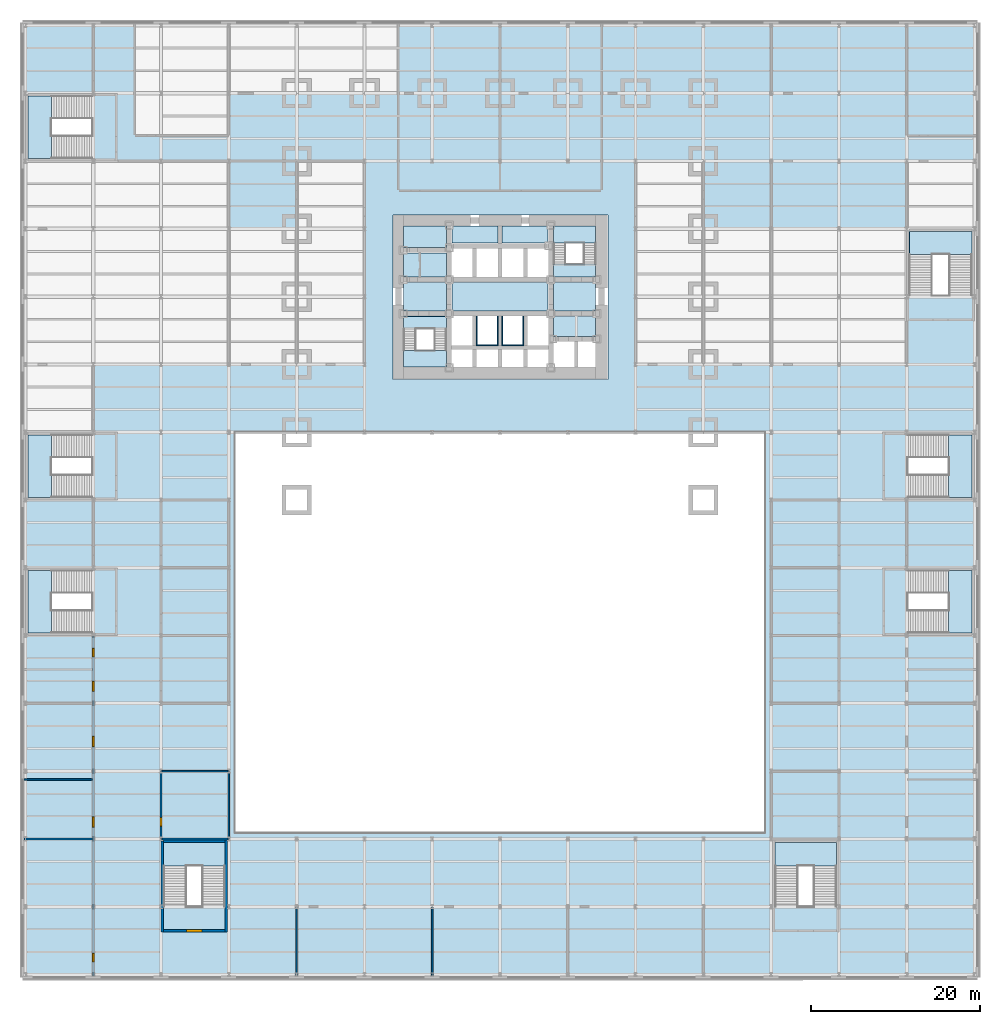
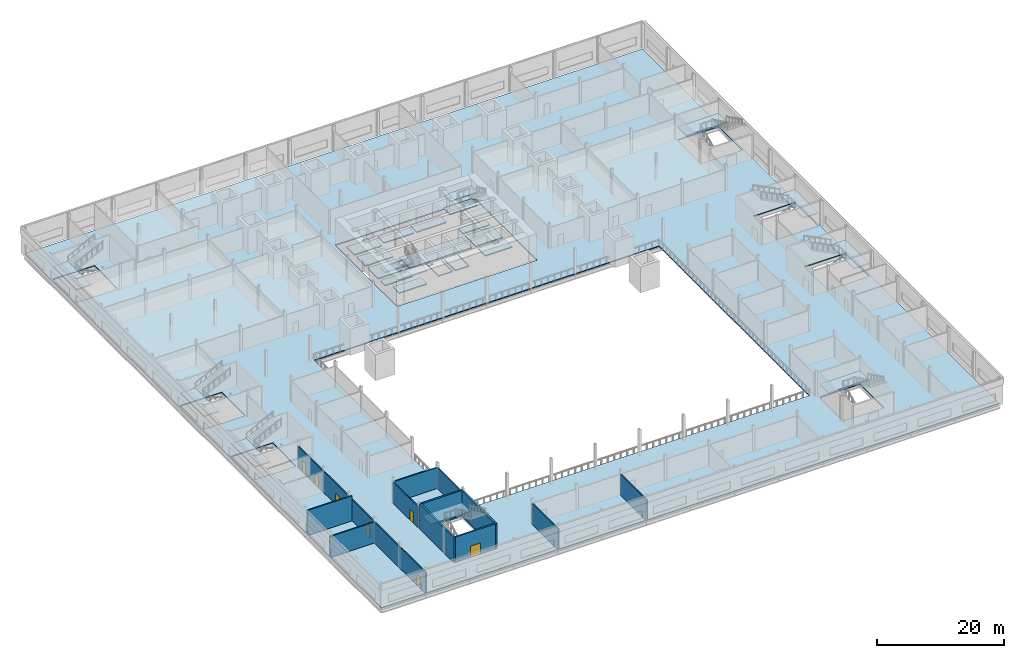
# One storey, part 7 of 18: 27 slabs, 13 walls, 7 doors, 7 openings, 10 elements without a shape of their own.
"""IFC4 building model written with IfcOpenShell, lengths in metres."""

from ifc_helpers import new_model, si_unit, direction, frame, frame_2d, origin, place, context, subcontext, project, spatial, polyline, rectangle, outline, extrude, material, layer, layer_set, type_object, element, fill, aggregate, save


model = new_model("IFC4")

# Units and contexts
model_context = context("Model", 3, precision=1e-05, world=origin(), true_north=direction((0.0, 1.0)))
body_context = subcontext(model_context, "Body", "Model", "MODEL_VIEW")
ifc_project = project(units=[si_unit("LENGTHUNIT", "METRE"), si_unit("AREAUNIT", "SQUARE_METRE"), si_unit("VOLUMEUNIT", "CUBIC_METRE"), si_unit("PLANEANGLEUNIT", "RADIAN"), si_unit("MASSUNIT", "GRAM", prefix="KILO")], contexts=[model_context])

# Site, building, storey
site_placement = place(None, origin())
site = spatial("IfcSite", under=ifc_project, at=site_placement, CompositionType="ELEMENT")
building_placement = place(site_placement, origin())
building = spatial("IfcBuilding", under=site, at=building_placement, Name="Daluyong Arena Tower", CompositionType="ELEMENT")
storey_placement = place(building_placement, frame((0.0, 0.0, 4.89990234375)))
storey = spatial("IfcBuildingStorey", under=building, at=storey_placement, Name="L01", CompositionType="ELEMENT", Elevation=4.89990234375)

# Slabs
ifc_material_1 = material(Name="Concrete fc' 35 MPa", Category="concrete")
ifc_layer_1 = layer(ifc_material_1, 0.199951171875)
ifc_layer_set_1 = layer_set([ifc_layer_1], Name="Concrete fc' 35 MPa")
slab_type_1 = type_object("IfcSlabType", Name="Podium floor slab 200", PredefinedType="FLOOR", material=ifc_layer_set_1)
slab_1_placement = place(storey_placement, frame((0.0, 0.0, -0.199951171875)))
element("IfcSlab", 1, at=slab_1_placement, inside=storey, type_object=slab_type_1, Name="podium floor L01 part 1", PredefinedType="FLOOR", context=body_context, shape_type="SweptSolid", body=[
    extrude(outline(polyline([(49.675048828125, 76.175048828125), (49.675048828125, 77.675048828125), (44.639892578125, 77.675048828125), (44.639892578125, 76.175048828125), (49.675048828125, 76.175048828125)])), origin(), (0.0, 0.0, 1.0), 0.199951171875),
])
slab_2_placement = place(storey_placement, frame((0.0, 0.0, -0.199951171875)))
element("IfcSlab", 2, at=slab_2_placement, inside=storey, type_object=slab_type_1, Name="podium floor L01 part 2", PredefinedType="FLOOR", context=body_context, shape_type="SweptSolid", body=[
    extrude(outline(polyline([(44.639892578125, 78.324951171875), (49.675048828125, 78.324951171875), (49.675048828125, 81.675048828125), (44.639892578125, 81.675048828125), (44.639892578125, 78.324951171875)])), origin(), (0.0, 0.0, 1.0), 0.199951171875),
])
slab_3_placement = place(storey_placement, frame((0.0, 0.0, -0.199951171875)))
element("IfcSlab", 3, at=slab_3_placement, inside=storey, type_object=slab_type_1, Name="podium floor L01 part 3", PredefinedType="FLOOR", context=body_context, shape_type="SweptSolid", body=[
    extrude(outline(polyline([(44.639892578125, 82.324951171875), (49.675048828125, 82.324951171875), (49.675048828125, 85.175048828125), (44.639892578125, 85.175048828125), (44.639892578125, 82.324951171875)])), origin(), (0.0, 0.0, 1.0), 0.199951171875),
])
slab_4_placement = place(storey_placement, frame((0.0, 0.0, -0.199951171875)))
element("IfcSlab", 4, at=slab_4_placement, inside=storey, type_object=slab_type_1, Name="podium floor L01 part 4", PredefinedType="FLOOR", context=body_context, shape_type="SweptSolid", body=[
    extrude(outline(polyline([(44.639892578125, 88.360107421875), (44.639892578125, 85.824951171875), (49.675048828125, 85.824951171875), (49.675048828125, 88.360107421875), (44.639892578125, 88.360107421875)])), origin(), (0.0, 0.0, 1.0), 0.199951171875),
])
slab_5_placement = place(storey_placement, frame((0.0, 0.0, -0.199951171875)))
element("IfcSlab", 5, at=slab_5_placement, inside=storey, type_object=slab_type_1, Name="podium floor L01 part 5", PredefinedType="FLOOR", context=body_context, shape_type="SweptSolid", body=[
    extrude(outline(polyline([(50.324951171875, 88.360107421875), (50.324951171875, 86.324951171875), (55.77490234375, 86.324951171875), (55.77490234375, 88.360107421875), (50.324951171875, 88.360107421875)])), origin(), (0.0, 0.0, 1.0), 0.199951171875),
])
slab_6_placement = place(storey_placement, frame((0.0, 0.0, -0.199951171875)))
element("IfcSlab", 6, at=slab_6_placement, inside=storey, type_object=slab_type_1, Name="podium floor L01 part 6", PredefinedType="FLOOR", context=body_context, shape_type="SweptSolid", body=[
    extrude(outline(polyline([(53.300048828125, 74.300048828125), (53.300048828125, 77.675048828125), (53.22509765625, 77.675048828125), (53.22509765625, 74.22509765625), (55.77490234375, 74.22509765625), (55.77490234375, 77.675048828125), (55.699951171875, 77.675048828125), (55.699951171875, 74.300048828125), (53.300048828125, 74.300048828125)])), origin(), (0.0, 0.0, 1.0), 0.199951171875),
])
slab_7_placement = place(storey_placement, frame((0.0, 0.0, -0.199951171875)))
element("IfcSlab", 7, at=slab_7_placement, inside=storey, type_object=slab_type_1, Name="podium floor L01 part 7", PredefinedType="FLOOR", context=body_context, shape_type="SweptSolid", body=[
    extrude(outline(polyline([(0.0, 112.0), (0.0, 0.0), (112.0, 0.0), (112.0, 112.0), (0.0, 112.0)]), holes=[polyline([(24.75, 64.0), (87.25, 64.0), (87.25, 16.75), (24.75, 16.75), (24.75, 64.0)]), polyline([(23.550048828125, 15.550048828125), (23.550048828125, 8.010009765625), (19.0, 8.010009765625), (19.0, 8.06005859375), (16.300048828125, 8.06005859375), (16.300048828125, 15.550048828125), (23.550048828125, 15.550048828125)]), polyline([(7.7900390625, 40.300048828125), (0.300048828125, 40.300048828125), (0.300048828125, 47.699951171875), (7.840087890625, 47.699951171875), (7.840087890625, 43.0), (7.7900390625, 43.0), (7.7900390625, 40.300048828125)]), polyline([(7.7900390625, 56.300048828125), (0.300048828125, 56.300048828125), (0.300048828125, 63.699951171875), (7.840087890625, 63.699951171875), (7.840087890625, 59.0), (7.7900390625, 59.0), (7.7900390625, 56.300048828125)]), polyline([(68.75, 89.639892578125), (68.75, 70.199951171875), (43.360107421875, 70.199951171875), (43.360107421875, 89.639892578125), (68.75, 89.639892578125)]), polyline([(7.7900390625, 99.0), (7.7900390625, 96.300048828125), (0.300048828125, 96.300048828125), (0.300048828125, 103.699951171875), (7.840087890625, 103.699951171875), (7.840087890625, 99.0), (7.7900390625, 99.0)]), polyline([(95.699951171875, 8.010009765625), (91.14990234375, 8.010009765625), (91.14990234375, 8.06005859375), (88.449951171875, 8.06005859375), (88.449951171875, 15.550048828125), (95.699951171875, 15.550048828125), (95.699951171875, 8.010009765625)]), polyline([(104.159912109375, 43.0), (104.159912109375, 47.699951171875), (111.699951171875, 47.699951171875), (111.699951171875, 40.300048828125), (104.2099609375, 40.300048828125), (104.2099609375, 43.0), (104.159912109375, 43.0)]), polyline([(104.2099609375, 59.0), (104.159912109375, 59.0), (104.159912109375, 63.699951171875), (111.699951171875, 63.699951171875), (111.699951171875, 56.300048828125), (104.2099609375, 56.300048828125), (104.2099609375, 59.0)]), polyline([(107.0, 80.159912109375), (107.0, 80.2099609375), (104.300048828125, 80.2099609375), (104.300048828125, 87.699951171875), (111.699951171875, 87.699951171875), (111.699951171875, 80.159912109375), (107.0, 80.159912109375)])]), origin(), (0.0, 0.0, 1.0), 0.199951171875),
])
slab_8_placement = place(storey_placement, frame((0.0, 0.0, -0.199951171875)))
element("IfcSlab", 8, at=slab_8_placement, inside=storey, type_object=slab_type_1, Name="podium floor L01 part 8", PredefinedType="FLOOR", context=body_context, shape_type="SweptSolid", body=[
    extrude(outline(polyline([(61.675048828125, 81.675048828125), (50.324951171875, 81.675048828125), (50.324951171875, 78.324951171875), (61.675048828125, 78.324951171875), (61.675048828125, 81.675048828125)])), origin(), (0.0, 0.0, 1.0), 0.199951171875),
])
slab_9_placement = place(storey_placement, frame((0.0, 0.0, -0.199951171875)))
element("IfcSlab", 9, at=slab_9_placement, inside=storey, type_object=slab_type_1, Name="podium floor L01 part 9", PredefinedType="FLOOR", context=body_context, shape_type="SweptSolid", body=[
    extrude(outline(polyline([(56.300048828125, 74.300048828125), (56.300048828125, 77.675048828125), (56.22509765625, 77.675048828125), (56.22509765625, 74.22509765625), (58.77490234375, 74.22509765625), (58.77490234375, 77.675048828125), (58.699951171875, 77.675048828125), (58.699951171875, 74.300048828125), (56.300048828125, 74.300048828125)])), origin(), (0.0, 0.0, 1.0), 0.199951171875),
])
slab_10_placement = place(storey_placement, frame((0.0, 0.0, -0.199951171875)))
element("IfcSlab", 10, at=slab_10_placement, inside=storey, type_object=slab_type_1, Name="podium floor L01 part 10", PredefinedType="FLOOR", context=body_context, shape_type="SweptSolid", body=[
    extrude(outline(polyline([(56.22509765625, 88.360107421875), (56.22509765625, 86.324951171875), (61.675048828125, 86.324951171875), (61.675048828125, 88.360107421875), (56.22509765625, 88.360107421875)])), origin(), (0.0, 0.0, 1.0), 0.199951171875),
])
slab_11_placement = place(storey_placement, frame((0.0, 0.0, -0.199951171875)))
element("IfcSlab", 11, at=slab_11_placement, inside=storey, type_object=slab_type_1, Name="podium floor L01 part 11", PredefinedType="FLOOR", context=body_context, shape_type="SweptSolid", body=[
    extrude(outline(polyline([(67.25, 75.324951171875), (67.25, 77.675048828125), (62.324951171875, 77.675048828125), (62.324951171875, 75.324951171875), (67.25, 75.324951171875)])), origin(), (0.0, 0.0, 1.0), 0.199951171875),
])
slab_12_placement = place(storey_placement, frame((0.0, 0.0, -0.199951171875)))
element("IfcSlab", 12, at=slab_12_placement, inside=storey, type_object=slab_type_1, Name="podium floor L01 part 12", PredefinedType="FLOOR", context=body_context, shape_type="SweptSolid", body=[
    extrude(outline(polyline([(67.25, 81.675048828125), (62.324951171875, 81.675048828125), (62.324951171875, 78.324951171875), (67.25, 78.324951171875), (67.25, 81.675048828125)])), origin(), (0.0, 0.0, 1.0), 0.199951171875),
])
slab_13_placement = place(storey_placement, frame((0.0, 0.0, -0.199951171875)))
element("IfcSlab", 13, at=slab_13_placement, inside=storey, type_object=slab_type_1, Name="podium floor L01 part 13", PredefinedType="FLOOR", context=body_context, shape_type="SweptSolid", body=[
    extrude(outline(polyline([(62.324951171875, 83.824951171875), (62.324951171875, 82.324951171875), (67.25, 82.324951171875), (67.25, 83.824951171875), (62.324951171875, 83.824951171875)])), origin(), (0.0, 0.0, 1.0), 0.199951171875),
])

# Stair, slabs
ifc_material_2 = material(Name="Concrete fc' 35 MPa", Category="concrete")
stair_type_1 = type_object("IfcStairType", Name="Core exit stair", PredefinedType="HALF_TURN_STAIR", material=ifc_material_2)
stair_1_placement = place(storey_placement, origin())
stair_1 = element("IfcStair", 14, at=stair_1_placement, inside=storey, type_object=stair_type_1, Name="exit stair A L01", PredefinedType="HALF_TURN_STAIR")
ifc_material_3 = material(Name="Concrete fc' 35 MPa", Category="concrete")
ifc_layer_2 = layer(ifc_material_3, 0.199951171875)
ifc_layer_set_2 = layer_set([ifc_layer_2], Name="Concrete fc' 35 MPa")
slab_type_2 = type_object("IfcSlabType", Name="Stair landing 200", PredefinedType="LANDING", material=ifc_layer_set_2)
slab_14_placement = place(storey_placement, frame((0.0, 0.0, 1.050048828125)))
slab_14 = element("IfcSlab", 15, at=slab_14_placement, type_object=slab_type_2, Name="STA landing 1", PredefinedType="LANDING", context=body_context, shape_type="SweptSolid", body=[
    extrude(outline(polyline([(44.639892578125, 71.699951171875), (49.699951171875, 71.699951171875), (49.699951171875, 73.655029296875), (44.639892578125, 73.655029296875), (44.639892578125, 71.699951171875)])), origin(), (0.0, 0.0, 1.0), 0.199951171875),
])
slab_15_placement = place(storey_placement, frame((0.0, 0.0, 2.300048828125)))
slab_15 = element("IfcSlab", 16, at=slab_15_placement, type_object=slab_type_2, Name="STA landing 2", PredefinedType="LANDING", context=body_context, shape_type="SweptSolid", body=[
    extrude(outline(polyline([(44.639892578125, 76.175048828125), (49.699951171875, 76.175048828125), (49.699951171875, 77.699951171875), (44.639892578125, 77.699951171875), (44.639892578125, 76.175048828125)])), origin(), (0.0, 0.0, 1.0), 0.199951171875),
])
slab_16_placement = place(storey_placement, frame((0.0, 0.0, 3.550048828125)))
slab_16 = element("IfcSlab", 17, at=slab_16_placement, type_object=slab_type_2, Name="STA landing 3", PredefinedType="LANDING", context=body_context, shape_type="SweptSolid", body=[
    extrude(outline(polyline([(44.639892578125, 71.699951171875), (49.699951171875, 71.699951171875), (49.699951171875, 73.655029296875), (44.639892578125, 73.655029296875), (44.639892578125, 71.699951171875)])), origin(), (0.0, 0.0, 1.0), 0.199951171875),
])
aggregate(stair_1, [slab_14, slab_15, slab_16])

stair_2_placement = place(storey_placement, origin())
stair_2 = element("IfcStair", 18, at=stair_2_placement, inside=storey, type_object=stair_type_1, Name="exit stair B L01", PredefinedType="HALF_TURN_STAIR")
slab_17_placement = place(storey_placement, frame((0.0, 0.0, 1.050048828125)))
slab_17 = element("IfcSlab", 19, at=slab_17_placement, type_object=slab_type_2, Name="STB landing 1", PredefinedType="LANDING", context=body_context, shape_type="SweptSolid", body=[
    extrude(outline(polyline([(62.300048828125, 86.344970703125), (67.300048828125, 86.344970703125), (67.300048828125, 88.360107421875), (62.300048828125, 88.360107421875), (62.300048828125, 86.344970703125)])), origin(), (0.0, 0.0, 1.0), 0.199951171875),
])
slab_18_placement = place(storey_placement, frame((0.0, 0.0, 2.300048828125)))
slab_18 = element("IfcSlab", 20, at=slab_18_placement, type_object=slab_type_2, Name="STB landing 2", PredefinedType="LANDING", context=body_context, shape_type="SweptSolid", body=[
    extrude(outline(polyline([(62.300048828125, 82.300048828125), (67.300048828125, 82.300048828125), (67.300048828125, 83.824951171875), (62.300048828125, 83.824951171875), (62.300048828125, 82.300048828125)])), origin(), (0.0, 0.0, 1.0), 0.199951171875),
])
slab_19_placement = place(storey_placement, frame((0.0, 0.0, 3.550048828125)))
slab_19 = element("IfcSlab", 21, at=slab_19_placement, type_object=slab_type_2, Name="STB landing 3", PredefinedType="LANDING", context=body_context, shape_type="SweptSolid", body=[
    extrude(outline(polyline([(62.300048828125, 86.344970703125), (67.300048828125, 86.344970703125), (67.300048828125, 88.360107421875), (62.300048828125, 88.360107421875), (62.300048828125, 86.344970703125)])), origin(), (0.0, 0.0, 1.0), 0.199951171875),
])
aggregate(stair_2, [slab_17, slab_18, slab_19])

# Stair, slab
ifc_material_4 = material(Name="Concrete fc' 35 MPa", Category="concrete")
stair_type_2 = type_object("IfcStairType", Name="Podium exit stair", PredefinedType="HALF_TURN_STAIR", material=ifc_material_4)
stair_3_placement = place(storey_placement, origin())
stair_3 = element("IfcStair", 22, at=stair_3_placement, inside=storey, type_object=stair_type_2, Name="exit stair PS1 L01", PredefinedType="HALF_TURN_STAIR")
slab_20_placement = place(storey_placement, frame((0.0, 0.0, 2.300048828125)))
slab_20 = element("IfcSlab", 23, at=slab_20_placement, type_object=slab_type_2, Name="PS1 landing 1", PredefinedType="LANDING", context=body_context, shape_type="SweptSolid", body=[
    extrude(outline(polyline([(16.300048828125, 12.81005859375), (23.550048828125, 12.81005859375), (23.550048828125, 15.550048828125), (16.300048828125, 15.550048828125), (16.300048828125, 12.81005859375)])), origin(), (0.0, 0.0, 1.0), 0.199951171875),
])
aggregate(stair_3, [slab_20])

stair_4_placement = place(storey_placement, origin())
stair_4 = element("IfcStair", 24, at=stair_4_placement, inside=storey, type_object=stair_type_2, Name="exit stair PS2 L01", PredefinedType="HALF_TURN_STAIR")
slab_21_placement = place(storey_placement, frame((0.0, 0.0, 2.300048828125)))
slab_21 = element("IfcSlab", 25, at=slab_21_placement, type_object=slab_type_2, Name="PS2 landing 1", PredefinedType="LANDING", context=body_context, shape_type="SweptSolid", body=[
    extrude(outline(polyline([(88.449951171875, 12.81005859375), (95.699951171875, 12.81005859375), (95.699951171875, 15.550048828125), (88.449951171875, 15.550048828125), (88.449951171875, 12.81005859375)])), origin(), (0.0, 0.0, 1.0), 0.199951171875),
])
aggregate(stair_4, [slab_21])

stair_5_placement = place(storey_placement, origin())
stair_5 = element("IfcStair", 26, at=stair_5_placement, inside=storey, type_object=stair_type_2, Name="exit stair PS3 L01", PredefinedType="HALF_TURN_STAIR")
slab_22_placement = place(storey_placement, frame((0.0, 0.0, 2.300048828125)))
slab_22 = element("IfcSlab", 27, at=slab_22_placement, type_object=slab_type_2, Name="PS3 landing 1", PredefinedType="LANDING", context=body_context, shape_type="SweptSolid", body=[
    extrude(outline(polyline([(3.0400390625, 40.300048828125), (3.0400390625, 47.699951171875), (0.300048828125, 47.699951171875), (0.300048828125, 40.300048828125), (3.0400390625, 40.300048828125)])), origin(), (0.0, 0.0, 1.0), 0.199951171875),
])
aggregate(stair_5, [slab_22])

stair_6_placement = place(storey_placement, origin())
stair_6 = element("IfcStair", 28, at=stair_6_placement, inside=storey, type_object=stair_type_2, Name="exit stair PS4 L01", PredefinedType="HALF_TURN_STAIR")
slab_23_placement = place(storey_placement, frame((0.0, 0.0, 2.300048828125)))
slab_23 = element("IfcSlab", 29, at=slab_23_placement, type_object=slab_type_2, Name="PS4 landing 1", PredefinedType="LANDING", context=body_context, shape_type="SweptSolid", body=[
    extrude(outline(polyline([(111.699951171875, 40.300048828125), (111.699951171875, 47.699951171875), (108.9599609375, 47.699951171875), (108.9599609375, 40.300048828125), (111.699951171875, 40.300048828125)])), origin(), (0.0, 0.0, 1.0), 0.199951171875),
])
aggregate(stair_6, [slab_23])

stair_7_placement = place(storey_placement, origin())
stair_7 = element("IfcStair", 30, at=stair_7_placement, inside=storey, type_object=stair_type_2, Name="exit stair PS5 L01", PredefinedType="HALF_TURN_STAIR")
slab_24_placement = place(storey_placement, frame((0.0, 0.0, 2.300048828125)))
slab_24 = element("IfcSlab", 31, at=slab_24_placement, type_object=slab_type_2, Name="PS5 landing 1", PredefinedType="LANDING", context=body_context, shape_type="SweptSolid", body=[
    extrude(outline(polyline([(3.0400390625, 96.300048828125), (3.0400390625, 103.699951171875), (0.300048828125, 103.699951171875), (0.300048828125, 96.300048828125), (3.0400390625, 96.300048828125)])), origin(), (0.0, 0.0, 1.0), 0.199951171875),
])
aggregate(stair_7, [slab_24])

stair_8_placement = place(storey_placement, origin())
stair_8 = element("IfcStair", 32, at=stair_8_placement, inside=storey, type_object=stair_type_2, Name="exit stair PS6 L01", PredefinedType="HALF_TURN_STAIR")
slab_25_placement = place(storey_placement, frame((0.0, 0.0, 2.300048828125)))
slab_25 = element("IfcSlab", 33, at=slab_25_placement, type_object=slab_type_2, Name="PS6 landing 1", PredefinedType="LANDING", context=body_context, shape_type="SweptSolid", body=[
    extrude(outline(polyline([(104.300048828125, 84.9599609375), (111.699951171875, 84.9599609375), (111.699951171875, 87.699951171875), (104.300048828125, 87.699951171875), (104.300048828125, 84.9599609375)])), origin(), (0.0, 0.0, 1.0), 0.199951171875),
])
aggregate(stair_8, [slab_25])

stair_9_placement = place(storey_placement, origin())
stair_9 = element("IfcStair", 34, at=stair_9_placement, inside=storey, type_object=stair_type_2, Name="exit stair PS7 L01", PredefinedType="HALF_TURN_STAIR")
slab_26_placement = place(storey_placement, frame((0.0, 0.0, 2.300048828125)))
slab_26 = element("IfcSlab", 35, at=slab_26_placement, type_object=slab_type_2, Name="PS7 landing 1", PredefinedType="LANDING", context=body_context, shape_type="SweptSolid", body=[
    extrude(outline(polyline([(3.0400390625, 56.300048828125), (3.0400390625, 63.699951171875), (0.300048828125, 63.699951171875), (0.300048828125, 56.300048828125), (3.0400390625, 56.300048828125)])), origin(), (0.0, 0.0, 1.0), 0.199951171875),
])
aggregate(stair_9, [slab_26])

stair_10_placement = place(storey_placement, origin())
stair_10 = element("IfcStair", 36, at=stair_10_placement, inside=storey, type_object=stair_type_2, Name="exit stair PS8 L01", PredefinedType="HALF_TURN_STAIR")
slab_27_placement = place(storey_placement, frame((0.0, 0.0, 2.300048828125)))
slab_27 = element("IfcSlab", 37, at=slab_27_placement, type_object=slab_type_2, Name="PS8 landing 1", PredefinedType="LANDING", context=body_context, shape_type="SweptSolid", body=[
    extrude(outline(polyline([(111.699951171875, 56.300048828125), (111.699951171875, 63.699951171875), (108.9599609375, 63.699951171875), (108.9599609375, 56.300048828125), (111.699951171875, 56.300048828125)])), origin(), (0.0, 0.0, 1.0), 0.199951171875),
])
aggregate(stair_10, [slab_27])

# Walls
ifc_material_5 = material(Name="Concrete block partition", Category="concrete")
ifc_layer_3 = layer(ifc_material_5, 0.199951171875)
ifc_layer_set_3 = layer_set([ifc_layer_3], Name="Concrete block partition")
wall_type_1 = type_object("IfcWallType", Name="Partition 200", PredefinedType="PARTITIONING", material=ifc_layer_set_3)
wall_1_placement = place(storey_placement, frame((-0.14990234375, 16.0, 0.0), z_axis=(0.0, 0.0, 1.0), x_axis=(1.0, 0.0, 0.0)))
element("IfcWall", 38, at=wall_1_placement, inside=storey, type_object=wall_type_1, Name="partition at L01", PredefinedType="PARTITIONING", context=body_context, shape_type="SweptSolid", body=[
    extrude(rectangle(XDim=8.0498046875, YDim=0.199951171875, at=frame_2d((4.02490234375, 0.0))), origin(), (0.0, 0.0, 1.0), 4.02783203125),
])
wall_2_placement = place(storey_placement, frame((16.10009765625, 16.0, 0.0), z_axis=(0.0, 0.0, 1.0), x_axis=(1.0, 0.0, 0.0)))
element("IfcWall", 39, at=wall_2_placement, inside=storey, type_object=wall_type_1, Name="partition at L01", PredefinedType="PARTITIONING", context=body_context, shape_type="SweptSolid", body=[
    extrude(rectangle(XDim=7.7998046875, YDim=0.199951171875, at=frame_2d((3.89990234375, 0.0))), origin(), (0.0, 0.0, 1.0), 4.02783203125),
])
wall_3_placement = place(storey_placement, frame((-0.14990234375, 23.0, 0.0), z_axis=(0.0, 0.0, 1.0), x_axis=(1.0, 0.0, 0.0)))
element("IfcWall", 40, at=wall_3_placement, inside=storey, type_object=wall_type_1, Name="partition at L01", PredefinedType="PARTITIONING", context=body_context, shape_type="SweptSolid", body=[
    extrude(rectangle(XDim=8.0498046875, YDim=0.199951171875, at=frame_2d((4.02490234375, 0.0))), origin(), (0.0, 0.0, 1.0), 4.800048828125),
])
wall_4_placement = place(storey_placement, frame((16.10009765625, 24.0, 0.0), z_axis=(0.0, 0.0, 1.0), x_axis=(1.0, 0.0, 0.0)))
element("IfcWall", 41, at=wall_4_placement, inside=storey, type_object=wall_type_1, Name="partition at L01", PredefinedType="PARTITIONING", context=body_context, shape_type="SweptSolid", body=[
    extrude(rectangle(XDim=7.7998046875, YDim=0.199951171875, at=frame_2d((3.89990234375, 0.0))), origin(), (0.0, 0.0, 1.0), 4.02783203125),
])

# Wall, openings, doors
wall_5_placement = place(storey_placement, frame((8.0, -0.14990234375, 0.0), z_axis=(0.0, 0.0, 1.0), x_axis=(0.0, 1.0, 0.0)))
wall_5 = element("IfcWall", 42, at=wall_5_placement, inside=storey, type_object=wall_type_1, Name="partition at L01", PredefinedType="PARTITIONING", context=body_context, shape_type="SweptSolid", body=[
    extrude(rectangle(XDim=40.0498046875, YDim=0.199951171875, at=frame_2d((20.02490234375, 0.0))), origin(), (0.0, 0.0, 1.0), 4.02783203125),
])
opening_1_placement = place(wall_5_placement, frame((17.550048828125, 0.0, 0.0)))
opening_1 = element("IfcOpeningElement", 43, at=opening_1_placement, cuts=wall_5, Name="Opening 01023", PredefinedType="OPENING", context=body_context, shape_type="SweptSolid", body=[
    extrude(rectangle(XDim=1.199951171875, YDim=2.10009765625, at=frame_2d((0.60009765625, 1.050048828125))), frame((0.0, 0.10986328125, 0.0), z_axis=(0.0, -1.0, 0.0), x_axis=(1.0, 0.0, 0.0)), (0.0, 0.0, 1.0), 0.219970703125),
])
opening_2_placement = place(wall_5_placement, frame((27.050048828125, 0.0, 0.0)))
opening_2 = element("IfcOpeningElement", 44, at=opening_2_placement, cuts=wall_5, Name="Opening 01024", PredefinedType="OPENING", context=body_context, shape_type="SweptSolid", body=[
    extrude(rectangle(XDim=1.199951171875, YDim=2.10009765625, at=frame_2d((0.60009765625, 1.050048828125))), frame((0.0, 0.10986328125, 0.0), z_axis=(0.0, -1.0, 0.0), x_axis=(1.0, 0.0, 0.0)), (0.0, 0.0, 1.0), 0.219970703125),
])
opening_3_placement = place(wall_5_placement, frame((33.550048828125, 0.0, 0.0)))
opening_3 = element("IfcOpeningElement", 45, at=opening_3_placement, cuts=wall_5, Name="Opening 01025", PredefinedType="OPENING", context=body_context, shape_type="SweptSolid", body=[
    extrude(rectangle(XDim=1.199951171875, YDim=2.10009765625, at=frame_2d((0.60009765625, 1.050048828125))), frame((0.0, 0.10986328125, 0.0), z_axis=(0.0, -1.0, 0.0), x_axis=(1.0, 0.0, 0.0)), (0.0, 0.0, 1.0), 0.219970703125),
])
opening_4_placement = place(wall_5_placement, frame((1.64990234375, 0.0, 0.0)))
opening_4 = element("IfcOpeningElement", 46, at=opening_4_placement, cuts=wall_5, Name="Opening 01029", PredefinedType="OPENING", context=body_context, shape_type="SweptSolid", body=[
    extrude(rectangle(XDim=1.0, YDim=2.10009765625, at=frame_2d((0.5, 1.050048828125))), frame((0.0, 0.10986328125, 0.0), z_axis=(0.0, -1.0, 0.0), x_axis=(1.0, 0.0, 0.0)), (0.0, 0.0, 1.0), 0.219970703125),
])
opening_5_placement = place(wall_5_placement, frame((37.64990234375, 0.0, 0.0)))
opening_5 = element("IfcOpeningElement", 47, at=opening_5_placement, cuts=wall_5, Name="Opening 01040", PredefinedType="OPENING", context=body_context, shape_type="SweptSolid", body=[
    extrude(rectangle(XDim=1.0, YDim=2.10009765625, at=frame_2d((0.5, 1.050048828125))), frame((0.0, 0.10986328125, 0.0), z_axis=(0.0, -1.0, 0.0), x_axis=(1.0, 0.0, 0.0)), (0.0, 0.0, 1.0), 0.219970703125),
])
ifc_material_6 = material(Name="Timber door", Category="wood")
door_type_1 = type_object("IfcDoorType", Name="Room door 1000", OperationType="SINGLE_SWING_LEFT", PredefinedType="DOOR", material=ifc_material_6)
door_1_placement = place(opening_4_placement, origin())
door_1 = element("IfcDoor", 48, at=door_1_placement, inside=storey, type_object=door_type_1, Name="food and beverage kiosk door 01029", OperationType="SINGLE_SWING_LEFT", OverallHeight=2.10009765625, OverallWidth=1.0, PredefinedType="DOOR", context=body_context, shape_type="SweptSolid", body=[
    extrude(rectangle(XDim=1.0, YDim=2.10009765625, at=frame_2d((0.5, 1.050048828125))), frame((0.0, 0.099609375, 0.0), z_axis=(0.0, -1.0, 0.0), x_axis=(1.0, 0.0, 0.0)), (0.0, 0.0, 1.0), 0.199462890625),
])
fill(opening_4, door_1)
door_2_placement = place(opening_5_placement, origin())
door_2 = element("IfcDoor", 49, at=door_2_placement, inside=storey, type_object=door_type_1, Name="food and beverage kiosk door 01040", OperationType="SINGLE_SWING_LEFT", OverallHeight=2.10009765625, OverallWidth=1.0, PredefinedType="DOOR", context=body_context, shape_type="SweptSolid", body=[
    extrude(rectangle(XDim=1.0, YDim=2.10009765625, at=frame_2d((0.5, 1.050048828125))), frame((0.0, 0.099609375, 0.0), z_axis=(0.0, -1.0, 0.0), x_axis=(1.0, 0.0, 0.0)), (0.0, 0.0, 1.0), 0.199462890625),
])
fill(opening_5, door_2)
ifc_material_7 = material(Name="Timber door", Category="wood")
door_type_2 = type_object("IfcDoorType", Name="Toilet entry door 1200", OperationType="SINGLE_SWING_RIGHT", PredefinedType="DOOR", material=ifc_material_7)
door_3_placement = place(opening_1_placement, origin())
door_3 = element("IfcDoor", 50, at=door_3_placement, inside=storey, type_object=door_type_2, Name="male toilet door 01023", OperationType="SINGLE_SWING_RIGHT", OverallHeight=2.10009765625, OverallWidth=1.199951171875, PredefinedType="DOOR", context=body_context, shape_type="SweptSolid", body=[
    extrude(rectangle(XDim=1.199951171875, YDim=2.10009765625, at=frame_2d((0.60009765625, 1.050048828125))), frame((0.0, 0.099609375, 0.0), z_axis=(0.0, -1.0, 0.0), x_axis=(1.0, 0.0, 0.0)), (0.0, 0.0, 1.0), 0.199462890625),
])
fill(opening_1, door_3)
door_4_placement = place(opening_2_placement, origin())
door_4 = element("IfcDoor", 51, at=door_4_placement, inside=storey, type_object=door_type_2, Name="female toilet door 01024", OperationType="SINGLE_SWING_RIGHT", OverallHeight=2.10009765625, OverallWidth=1.199951171875, PredefinedType="DOOR", context=body_context, shape_type="SweptSolid", body=[
    extrude(rectangle(XDim=1.199951171875, YDim=2.10009765625, at=frame_2d((0.60009765625, 1.050048828125))), frame((0.0, 0.099609375, 0.0), z_axis=(0.0, -1.0, 0.0), x_axis=(1.0, 0.0, 0.0)), (0.0, 0.0, 1.0), 0.199462890625),
])
fill(opening_2, door_4)
door_5_placement = place(opening_3_placement, origin())
door_5 = element("IfcDoor", 52, at=door_5_placement, inside=storey, type_object=door_type_2, Name="accessible toilet door 01025", OperationType="SINGLE_SWING_RIGHT", OverallHeight=2.10009765625, OverallWidth=1.199951171875, PredefinedType="DOOR", context=body_context, shape_type="SweptSolid", body=[
    extrude(rectangle(XDim=1.199951171875, YDim=2.10009765625, at=frame_2d((0.60009765625, 1.050048828125))), frame((0.0, 0.099609375, 0.0), z_axis=(0.0, -1.0, 0.0), x_axis=(1.0, 0.0, 0.0)), (0.0, 0.0, 1.0), 0.199462890625),
])
fill(opening_3, door_5)

# Wall, opening, door
wall_6_placement = place(storey_placement, frame((16.0, 16.10009765625, 0.0), z_axis=(0.0, 0.0, 1.0), x_axis=(0.0, 1.0, 0.0)))
wall_6 = element("IfcWall", 53, at=wall_6_placement, inside=storey, type_object=wall_type_1, Name="partition at L01", PredefinedType="PARTITIONING", context=body_context, shape_type="SweptSolid", body=[
    extrude(rectangle(XDim=7.7998046875, YDim=0.199951171875, at=frame_2d((3.89990234375, 0.0))), origin(), (0.0, 0.0, 1.0), 4.02783203125),
])
opening_6_placement = place(wall_6_placement, frame((1.39990234375, 0.0, 0.0)))
opening_6 = element("IfcOpeningElement", 54, at=opening_6_placement, cuts=wall_6, Name="Opening 01031", PredefinedType="OPENING", context=body_context, shape_type="SweptSolid", body=[
    extrude(rectangle(XDim=1.0, YDim=2.10009765625, at=frame_2d((0.5, 1.050048828125))), frame((0.0, 0.10986328125, 0.0), z_axis=(0.0, -1.0, 0.0), x_axis=(1.0, 0.0, 0.0)), (0.0, 0.0, 1.0), 0.219970703125),
])
door_6_placement = place(opening_6_placement, origin())
door_6 = element("IfcDoor", 55, at=door_6_placement, inside=storey, type_object=door_type_1, Name="food and beverage kiosk door 01031", OperationType="SINGLE_SWING_LEFT", OverallHeight=2.10009765625, OverallWidth=1.0, PredefinedType="DOOR", context=body_context, shape_type="SweptSolid", body=[
    extrude(rectangle(XDim=1.0, YDim=2.10009765625, at=frame_2d((0.5, 1.050048828125))), frame((0.0, 0.099609375, 0.0), z_axis=(0.0, -1.0, 0.0), x_axis=(1.0, 0.0, 0.0)), (0.0, 0.0, 1.0), 0.199462890625),
])
fill(opening_6, door_6)

# Walls
wall_7_placement = place(storey_placement, frame((24.0, 16.10009765625, 0.0), z_axis=(0.0, 0.0, 1.0), x_axis=(0.0, 1.0, 0.0)))
element("IfcWall", 56, at=wall_7_placement, inside=storey, type_object=wall_type_1, Name="partition at L01", PredefinedType="PARTITIONING", context=body_context, shape_type="SweptSolid", body=[
    extrude(rectangle(XDim=7.7998046875, YDim=0.199951171875, at=frame_2d((3.89990234375, 0.0))), origin(), (0.0, 0.0, 1.0), 4.02783203125),
])
for number, where, z_axis, x_axis, name in (
    (57, (32.0, -0.14990234375, 0.0), (0.0, 0.0, 1.0), (0.0, 1.0, 0.0), "partition at L01"),
    (58, (48.0, -0.14990234375, 0.0), (0.0, 0.0, 1.0), (0.0, 1.0, 0.0), "partition at L01"),
):
    element("IfcWall", number, at=place(storey_placement, frame(where, z_axis=z_axis, x_axis=x_axis)), inside=storey, type_object=wall_type_1, Name=name, PredefinedType="PARTITIONING", context=body_context, shape_type="SweptSolid", body=[
        extrude(rectangle(XDim=8.0498046875, YDim=0.199951171875, at=frame_2d((4.02490234375, 0.0))), origin(), (0.0, 0.0, 1.0), 4.02783203125),
    ])
ifc_material_8 = material(Name="Concrete fc' 35 MPa", Category="concrete")
ifc_layer_4 = layer(ifc_material_8, 0.300048828125)
ifc_layer_set_4 = layer_set([ifc_layer_4], Name="Concrete fc' 35 MPa")
wall_type_2 = type_object("IfcWallType", Name="Stair enclosure wall 300", PredefinedType="SOLIDWALL", material=ifc_layer_set_4)
wall_8_placement = place(storey_placement, frame((16.14990234375, 5.0, 0.0), z_axis=(0.0, 0.0, 1.0), x_axis=(0.0, 1.0, 0.0)))
element("IfcWall", 59, at=wall_8_placement, inside=storey, type_object=wall_type_2, Name="exit stair PS1 enclosure", PredefinedType="SOLIDWALL", context=body_context, shape_type="SweptSolid", body=[
    extrude(rectangle(XDim=10.772705078125, YDim=0.300048828125, at=frame_2d((5.38623046875, 0.0))), origin(), (0.0, 0.0, 1.0), 4.800048828125),
])
wall_9_placement = place(storey_placement, frame((23.699951171875, 5.0, 0.0), z_axis=(0.0, 0.0, 1.0), x_axis=(0.0, 1.0, 0.0)))
element("IfcWall", 60, at=wall_9_placement, inside=storey, type_object=wall_type_2, Name="exit stair PS1 enclosure", PredefinedType="SOLIDWALL", context=body_context, shape_type="SweptSolid", body=[
    extrude(rectangle(XDim=10.85009765625, YDim=0.300048828125, at=frame_2d((5.425048828125, 0.0))), origin(), (0.0, 0.0, 1.0), 4.800048828125),
])

# Wall, opening, door
wall_10_placement = place(storey_placement, frame((16.300048828125, 5.14990234375, 0.0), z_axis=(0.0, 0.0, 1.0), x_axis=(1.0, 0.0, 0.0)))
wall_10 = element("IfcWall", 61, at=wall_10_placement, inside=storey, type_object=wall_type_2, Name="exit stair PS1 enclosure", PredefinedType="SOLIDWALL", context=body_context, shape_type="SweptSolid", body=[
    extrude(rectangle(XDim=7.25, YDim=0.300048828125, at=frame_2d((3.625, 0.0))), origin(), (0.0, 0.0, 1.0), 4.800048828125),
])
opening_7_placement = place(wall_10_placement, frame((2.72509765625, 0.0, 0.0)))
opening_7 = element("IfcOpeningElement", 62, at=opening_7_placement, cuts=wall_10, Name="Opening 01015", PredefinedType="OPENING", context=body_context, shape_type="SweptSolid", body=[
    extrude(rectangle(XDim=1.800048828125, YDim=2.10009765625, at=frame_2d((0.89990234375, 1.050048828125))), frame((0.0, 0.159912109375, 0.0), z_axis=(0.0, -1.0, 0.0), x_axis=(1.0, 0.0, 0.0)), (0.0, 0.0, 1.0), 0.320068359375),
])
ifc_material_9 = material(Name="Steel door, fire rated", Category="steel")
door_type_3 = type_object("IfcDoorType", Name="Exit stair double door 1800", OperationType="DOUBLE_DOOR_SINGLE_SWING", PredefinedType="DOOR", material=ifc_material_9)
door_7_placement = place(opening_7_placement, origin())
door_7 = element("IfcDoor", 63, at=door_7_placement, inside=storey, type_object=door_type_3, Name="exit stair PS1 door 01015", OperationType="DOUBLE_DOOR_SINGLE_SWING", OverallHeight=2.10009765625, OverallWidth=1.800048828125, PredefinedType="DOOR", context=body_context, shape_type="SweptSolid", body=[
    extrude(rectangle(XDim=1.800048828125, YDim=2.10009765625, at=frame_2d((0.89990234375, 1.050048828125))), frame((0.0, 0.14990234375, 0.0), z_axis=(0.0, -1.0, 0.0), x_axis=(1.0, 0.0, 0.0)), (0.0, 0.0, 1.0), 0.299560546875),
])
fill(opening_7, door_7)

# Wall
wall_11_placement = place(storey_placement, frame((16.300048828125, 15.699951171875, 0.0), z_axis=(0.0, 0.0, 1.0), x_axis=(1.0, 0.0, 0.0)))
element("IfcWall", 64, at=wall_11_placement, inside=storey, type_object=wall_type_2, Name="exit stair PS1 enclosure", PredefinedType="SOLIDWALL", context=body_context, shape_type="SweptSolid", body=[
    extrude(rectangle(XDim=7.25, YDim=0.300048828125, at=frame_2d((3.625, 0.0))), origin(), (0.0, 0.0, 1.0), 4.800048828125),
])

save(model, "model.ifc")
